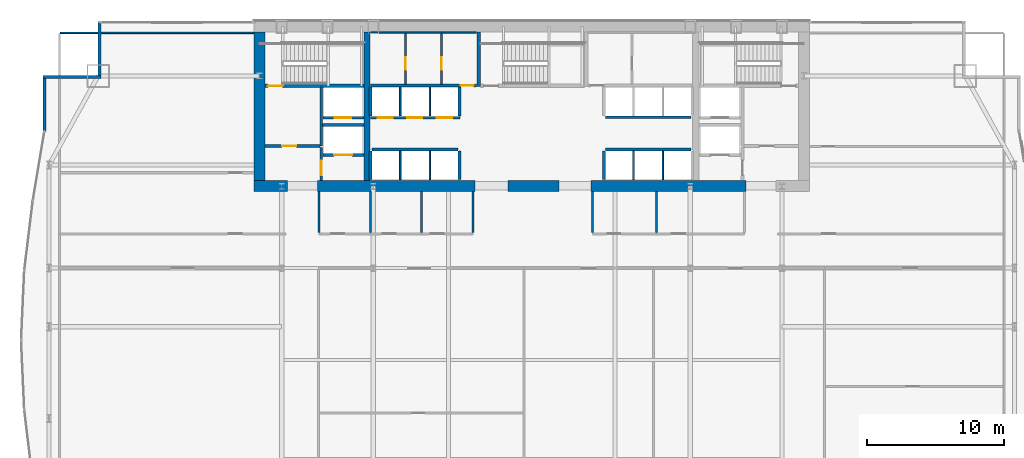
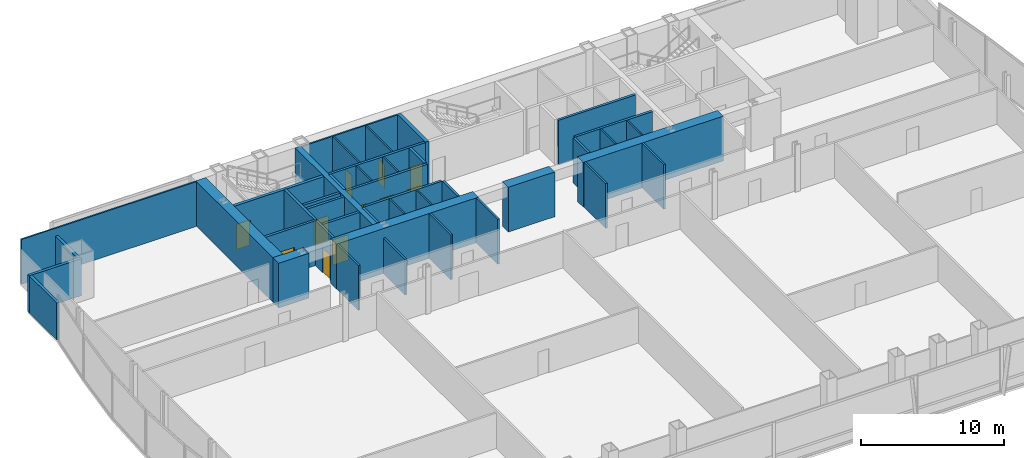
# One storey, part 28 of 32: 43 walls, 11 doors, 11 openings.
"""IFC4 building model written with IfcOpenShell, lengths in metres."""

from ifc_helpers import new_model, si_unit, direction, frame, frame_2d, origin, place, context, subcontext, project, spatial, rectangle, extrude, material, layer, layer_set, type_object, element, fill, save


model = new_model("IFC4")

# Units and contexts
model_context = context("Model", 3, precision=1e-05, world=origin(), true_north=direction((0.0, 1.0)))
body_context = subcontext(model_context, "Body", "Model", "MODEL_VIEW")
ifc_project = project(units=[si_unit("LENGTHUNIT", "METRE"), si_unit("AREAUNIT", "SQUARE_METRE"), si_unit("VOLUMEUNIT", "CUBIC_METRE"), si_unit("PLANEANGLEUNIT", "RADIAN"), si_unit("MASSUNIT", "GRAM", prefix="KILO")], contexts=[model_context])

# Site, building, storey
site_placement = place(None, origin())
site = spatial("IfcSite", under=ifc_project, at=site_placement, CompositionType="ELEMENT")
building_placement = place(site_placement, origin())
building = spatial("IfcBuilding", under=site, at=building_placement, Name="Khoronbel Lancet Exchange", CompositionType="ELEMENT")
storey_placement = place(building_placement, frame((0.0, 0.0, 41.800048828125)))
storey = spatial("IfcBuildingStorey", under=building, at=storey_placement, Name="L09", CompositionType="ELEMENT", Elevation=41.800048828125)

# Walls
ifc_material_1 = material(Name="Concrete C80/95", Category="concrete")
ifc_layer_1 = layer(ifc_material_1, 0.800048828125, Name="Concrete C80/95")
ifc_layer_set_1 = layer_set([ifc_layer_1], Name="Concrete C80/95")
wall_type_1 = type_object("IfcWallType", Name="WL-CW1", PredefinedType="SHEAR", material=ifc_layer_set_1)
wall_1_placement = place(storey_placement, frame((16.60009765625, 42.10009765625, 0.0), z_axis=(0.0, 0.0, 1.0), x_axis=(0.0, 1.0, 0.0)))
element("IfcWall", 1, at=wall_1_placement, inside=storey, type_object=wall_type_1, Name="Level L09 rear core west shear wall", PredefinedType="SHEAR", context=body_context, shape_type="SweptSolid", body=[
    extrude(rectangle(XDim=10.7998046875, YDim=0.800048828125, at=frame_2d((5.39990234375, 0.0))), origin(), (0.0, 0.0, 1.0), 3.820068359375),
])
wall_2_placement = place(storey_placement, frame((18.64990234375, 41.699951171875, 0.0), z_axis=(0.0, 0.0, 1.0), x_axis=(-1.0, 0.0, 0.0)))
element("IfcWall", 2, at=wall_2_placement, inside=storey, type_object=wall_type_1, Name="Level L09 rear core south shear wall pier P1", PredefinedType="SHEAR", context=body_context, shape_type="SweptSolid", body=[
    extrude(rectangle(XDim=2.449951171875, YDim=0.800048828125, at=frame_2d((1.22509765625, 0.0))), origin(), (0.0, 0.0, 1.0), 3.820068359375),
])
wall_3_placement = place(storey_placement, frame((32.300048828125, 41.699951171875, 0.0), z_axis=(0.0, 0.0, 1.0), x_axis=(-1.0, 0.0, 0.0)))
element("IfcWall", 3, at=wall_3_placement, inside=storey, type_object=wall_type_1, Name="Level L09 rear core south shear wall pier P2", PredefinedType="SHEAR", context=body_context, shape_type="SweptSolid", body=[
    extrude(rectangle(XDim=11.449951171875, YDim=0.800048828125, at=frame_2d((5.72509765625, 0.0))), origin(), (0.0, 0.0, 1.0), 3.820068359375),
])
wall_4_placement = place(storey_placement, frame((38.449951171875, 41.699951171875, 0.0), z_axis=(0.0, 0.0, 1.0), x_axis=(-1.0, 0.0, 0.0)))
element("IfcWall", 4, at=wall_4_placement, inside=storey, type_object=wall_type_1, Name="Level L09 rear core south shear wall pier P3", PredefinedType="SHEAR", context=body_context, shape_type="SweptSolid", body=[
    extrude(rectangle(XDim=3.75, YDim=0.800048828125, at=frame_2d((1.875, 0.0))), origin(), (0.0, 0.0, 1.0), 3.820068359375),
])
wall_5_placement = place(storey_placement, frame((52.050048828125, 41.699951171875, 0.0), z_axis=(0.0, 0.0, 1.0), x_axis=(-1.0, 0.0, 0.0)))
element("IfcWall", 5, at=wall_5_placement, inside=storey, type_object=wall_type_1, Name="Level L09 rear core south shear wall pier P4", PredefinedType="SHEAR", context=body_context, shape_type="SweptSolid", body=[
    extrude(rectangle(XDim=11.300048828125, YDim=0.800048828125, at=frame_2d((5.64990234375, 0.0))), origin(), (0.0, 0.0, 1.0), 3.820068359375),
])
ifc_material_2 = material(Name="Precast concrete C40/50", Category="concrete")
ifc_layer_2 = layer(ifc_material_2, 0.25, Name="Precast concrete C40/50")
ifc_layer_set_2 = layer_set([ifc_layer_2], Name="Precast concrete C40/50")
wall_type_2 = type_object("IfcWallType", Name="WL-EXT250", PredefinedType="SOLIDWALL", material=ifc_layer_set_2)
wall_6_placement = place(storey_placement, frame((0.93994140625, 45.672607421875, 0.0), z_axis=(0.0, 0.0, 1.0), x_axis=(0.0, 1.0, 0.0)))
element("IfcWall", 6, at=wall_6_placement, inside=storey, type_object=wall_type_2, Name="Level L09 notched-corner limestone pier 10", PredefinedType="SOLIDWALL", context=body_context, shape_type="SweptSolid", body=[
    extrude(rectangle(XDim=3.827392578125, YDim=0.219970703125, at=frame_2d((1.91357421875, 0.0))), origin(), (0.0, 0.0, 1.0), 3.159912109375),
])
wall_7_placement = place(storey_placement, frame((0.830078125, 49.610107421875, 0.0), z_axis=(0.0, 0.0, 1.0), x_axis=(1.0, 0.0, 0.0)))
element("IfcWall", 7, at=wall_7_placement, inside=storey, type_object=wall_type_2, Name="Level L09 notched-corner limestone pier 11", PredefinedType="SOLIDWALL", context=body_context, shape_type="SweptSolid", body=[
    extrude(rectangle(XDim=4.219970703125, YDim=0.219970703125, at=frame_2d((2.10986328125, 0.0))), origin(), (0.0, 0.0, 1.0), 3.159912109375),
])
wall_8_placement = place(storey_placement, frame((4.93994140625, 49.719970703125, 0.0), z_axis=(0.0, 0.0, 1.0), x_axis=(0.0, 1.0, 0.0)))
element("IfcWall", 8, at=wall_8_placement, inside=storey, type_object=wall_type_2, Name="Level L09 notched-corner limestone pier 12", PredefinedType="SOLIDWALL", context=body_context, shape_type="SweptSolid", body=[
    extrude(rectangle(XDim=3.909912109375, YDim=0.219970703125, at=frame_2d((1.955078125, 0.0))), origin(), (0.0, 0.0, 1.0), 3.159912109375),
])
ifc_material_3 = material(Name="Acoustic Metal-Stud & Mineral-Wool Gypsum Partition 120 mm", Category="gypsum")
ifc_layer_3 = layer(ifc_material_3, 0.1201171875, Name="Acoustic Metal-Stud & Mineral-Wool Gypsum Partition 120 mm")
ifc_layer_set_3 = layer_set([ifc_layer_3], Name="Acoustic Metal-Stud & Mineral-Wool Gypsum Partition 120 mm")
wall_type_3 = type_object("IfcWallType", Name="WL-PRT120", PredefinedType="PARTITIONING", material=ifc_layer_set_3)
wall_9_placement = place(storey_placement, frame((20.949951171875, 38.280029296875, 0.0), z_axis=(0.0, 0.0, 1.0), x_axis=(0.0, 1.0, 0.0)))
element("IfcWall", 9, at=wall_9_placement, inside=storey, type_object=wall_type_3, Name="Level L09 interior partition PW-WC-0", PredefinedType="PARTITIONING", context=body_context, shape_type="SweptSolid", body=[
    extrude(rectangle(XDim=3.02001953125, YDim=0.14990234375, at=frame_2d((1.510009765625, 0.0))), origin(), (0.0, 0.0, 1.0), 3.820068359375),
])
wall_10_placement = place(storey_placement, frame((24.699951171875, 38.280029296875, 0.0), z_axis=(0.0, 0.0, 1.0), x_axis=(0.0, 1.0, 0.0)))
element("IfcWall", 10, at=wall_10_placement, inside=storey, type_object=wall_type_3, Name="Level L09 interior partition PW-WC-1", PredefinedType="PARTITIONING", context=body_context, shape_type="SweptSolid", body=[
    extrude(rectangle(XDim=3.02001953125, YDim=0.14990234375, at=frame_2d((1.510009765625, 0.0))), origin(), (0.0, 0.0, 1.0), 3.010009765625),
])
for number, where, z_axis, x_axis, name in (
    (11, (28.39990234375, 38.280029296875, 0.0), (0.0, 0.0, 1.0), (0.0, 1.0, 0.0), "Level L09 interior partition PW-WC-2"),
    (12, (32.179931640625, 38.280029296875, 0.0), (0.0, 0.0, 1.0), (0.0, 1.0, 0.0), "Level L09 interior partition PW-WC-3"),
    (13, (40.8798828125, 38.280029296875, 0.0), (0.0, 0.0, 1.0), (0.0, 1.0, 0.0), "Level L09 interior partition PW-NP-0"),
    (14, (45.550048828125, 38.280029296875, 0.0), (0.0, 0.0, 1.0), (0.0, 1.0, 0.0), "Level L09 interior partition PW-NP-M"),
):
    element("IfcWall", number, at=place(storey_placement, frame(where, z_axis=z_axis, x_axis=x_axis)), inside=storey, type_object=wall_type_3, Name=name, PredefinedType="PARTITIONING", context=body_context, shape_type="SweptSolid", body=[
        extrude(rectangle(XDim=3.02001953125, YDim=0.14990234375, at=frame_2d((1.510009765625, 0.0))), origin(), (0.0, 0.0, 1.0), 3.820068359375),
    ])
wall_11_placement = place(storey_placement, frame((2.094970703125, 52.840087890625, 0.0), z_axis=(0.0, 0.0, 1.0), x_axis=(1.0, 0.0, 0.0)))
element("IfcWall", 15, at=wall_11_placement, inside=storey, type_object=wall_type_3, Name="Level L09 interior partition PW-LIN-NW", PredefinedType="PARTITIONING", context=body_context, shape_type="SweptSolid", body=[
    extrude(rectangle(XDim=14.10498046875, YDim=0.1201171875, at=frame_2d((7.052490234375, 0.0))), origin(), (0.0, 0.0, 1.0), 3.820068359375),
])
ifc_material_4 = material(Name="Fire-Rated Metal-Stud & Mineral-Wool Gypsum Partition 120 mm", Category="gypsum")
ifc_layer_4 = layer(ifc_material_4, 0.1201171875, Name="Fire-Rated Metal-Stud & Mineral-Wool Gypsum Partition 120 mm")
ifc_layer_set_4 = layer_set([ifc_layer_4], Name="Fire-Rated Metal-Stud & Mineral-Wool Gypsum Partition 120 mm")
wall_type_4 = type_object("IfcWallType", Name="WL-PRT120F", PredefinedType="PARTITIONING", material=ifc_layer_set_4)
for number, where, z_axis, x_axis, name in (
    (16, (26.860107421875, 46.800048828125, 0.0), (0.0, 0.0, 1.0), (0.0, 1.0, 0.0), "Level L09 interior partition CW-PL-D1"),
    (17, (29.02001953125, 46.800048828125, 0.0), (0.0, 0.0, 1.0), (0.0, 1.0, 0.0), "Level L09 interior partition CW-PL-D2"),
):
    element("IfcWall", number, at=place(storey_placement, frame(where, z_axis=z_axis, x_axis=x_axis)), inside=storey, type_object=wall_type_4, Name=name, PredefinedType="PARTITIONING", context=body_context, shape_type="SweptSolid", body=[
        extrude(rectangle(XDim=2.094970703125, YDim=0.1201171875, at=frame_2d((1.04736328125, 0.0))), origin(), (0.0, 0.0, 1.0), 3.820068359375),
    ])
for number, where, z_axis, x_axis, name in (
    (18, (26.860107421875, 42.14990234375, 0.0), (0.0, 0.0, 1.0), (0.0, 1.0, 0.0), "Level L09 interior partition CW-PM-D1"),
    (19, (29.02001953125, 42.14990234375, 0.0), (0.0, 0.0, 1.0), (0.0, 1.0, 0.0), "Level L09 interior partition CW-PM-D2"),
    (20, (43.860107421875, 42.14990234375, 0.0), (0.0, 0.0, 1.0), (0.0, 1.0, 0.0), "Level L09 interior partition CW-PX-D1"),
    (21, (46.0, 42.14990234375, 0.0), (0.0, 0.0, 1.0), (0.0, 1.0, 0.0), "Level L09 interior partition CW-PX-D2"),
):
    element("IfcWall", number, at=place(storey_placement, frame(where, z_axis=z_axis, x_axis=x_axis)), inside=storey, type_object=wall_type_4, Name=name, PredefinedType="PARTITIONING", context=body_context, shape_type="SweptSolid", body=[
        extrude(rectangle(XDim=2.09521484375, YDim=0.1201171875, at=frame_2d((1.047607421875, 0.0))), origin(), (0.0, 0.0, 1.0), 3.820068359375),
    ])
wall_12_placement = place(storey_placement, frame((24.699951171875, 52.860107421875, 0.0), z_axis=(0.0, 0.0, 1.0), x_axis=(1.0, 0.0, 0.0)))
element("IfcWall", 22, at=wall_12_placement, inside=storey, type_object=wall_type_4, Name="Level L09 interior partition CW-SUP-NW-N", PredefinedType="PARTITIONING", context=body_context, shape_type="SweptSolid", body=[
    extrude(rectangle(XDim=7.719970703125, YDim=0.1201171875, at=frame_2d((3.85986328125, 0.0))), origin(), (0.0, 0.0, 1.0), 3.820068359375),
])

# Wall, opening, door
wall_13_placement = place(storey_placement, frame((27.24755859375, 49.10498046875, 0.0), z_axis=(0.0, 0.0, 1.0), x_axis=(0.0, 1.0, 0.0)))
wall_13 = element("IfcWall", 23, at=wall_13_placement, inside=storey, type_object=wall_type_4, Name="Level L09 interior partition CW-SUP-NW-T1", PredefinedType="PARTITIONING", context=body_context, shape_type="SweptSolid", body=[
    extrude(rectangle(XDim=3.68994140625, YDim=0.1201171875, at=frame_2d((1.844970703125, 0.0))), origin(), (0.0, 0.0, 1.0), 3.820068359375),
])
opening_1_placement = place(wall_13_placement, frame((1.050048828125, 0.0, 0.0)))
opening_1 = element("IfcOpeningElement", 24, at=opening_1_placement, cuts=wall_13, Name="Opening FD4", PredefinedType="OPENING", context=body_context, shape_type="SweptSolid", body=[
    extrude(rectangle(XDim=0.89990234375, YDim=2.050048828125, at=frame_2d((0.449951171875, 1.02490234375))), frame((0.0, 0.070068359375, 0.0), z_axis=(0.0, -1.0, 0.0), x_axis=(1.0, 0.0, 0.0)), (0.0, 0.0, 1.0), 0.14013671875),
])
ifc_material_5 = material(Name="Fire-Rated Steel Core Support Door Assembly", Category="steel")
door_type_1 = type_object("IfcDoorType", Name="DR-FD4", OperationType="NOTDEFINED", PredefinedType="DOOR", material=ifc_material_5)
door_1_placement = place(opening_1_placement, origin())
door_1 = element("IfcDoor", 25, at=door_1_placement, inside=storey, type_object=door_type_1, Name="Core NW bay 1 door L09-1", OperationType="SINGLE_SWING_RIGHT", OverallHeight=2.050048828125, OverallWidth=0.89990234375, PredefinedType="DOOR", context=body_context, shape_type="SweptSolid", body=[
    extrude(rectangle(XDim=0.89990234375, YDim=2.050048828125, at=frame_2d((0.449951171875, 1.02490234375))), frame((0.0, 0.02490234375, 0.0), z_axis=(0.0, -1.0, 0.0), x_axis=(1.0, 0.0, 0.0)), (0.0, 0.0, 1.0), 0.050048828125),
])
fill(opening_1, door_1)

wall_14_placement = place(storey_placement, frame((29.872314453125, 49.10498046875, 0.0), z_axis=(0.0, 0.0, 1.0), x_axis=(0.0, 1.0, 0.0)))
wall_14 = element("IfcWall", 26, at=wall_14_placement, inside=storey, type_object=wall_type_4, Name="Level L09 interior partition CW-SUP-NW-T2", PredefinedType="PARTITIONING", context=body_context, shape_type="SweptSolid", body=[
    extrude(rectangle(XDim=3.68994140625, YDim=0.1201171875, at=frame_2d((1.844970703125, 0.0))), origin(), (0.0, 0.0, 1.0), 3.820068359375),
])
opening_2_placement = place(wall_14_placement, frame((1.050048828125, 0.0, 0.0)))
opening_2 = element("IfcOpeningElement", 27, at=opening_2_placement, cuts=wall_14, Name="Opening FD4", PredefinedType="OPENING", context=body_context, shape_type="SweptSolid", body=[
    extrude(rectangle(XDim=0.89990234375, YDim=2.050048828125, at=frame_2d((0.449951171875, 1.02490234375))), frame((0.0, 0.070068359375, 0.0), z_axis=(0.0, -1.0, 0.0), x_axis=(1.0, 0.0, 0.0)), (0.0, 0.0, 1.0), 0.14013671875),
])
door_2_placement = place(opening_2_placement, origin())
door_2 = element("IfcDoor", 28, at=door_2_placement, inside=storey, type_object=door_type_1, Name="Core NW bay 2 door L09-1", OperationType="SINGLE_SWING_LEFT", OverallHeight=2.050048828125, OverallWidth=0.89990234375, PredefinedType="DOOR", context=body_context, shape_type="SweptSolid", body=[
    extrude(rectangle(XDim=0.89990234375, YDim=2.050048828125, at=frame_2d((0.449951171875, 1.02490234375))), frame((0.0, 0.02490234375, 0.0), z_axis=(0.0, -1.0, 0.0), x_axis=(1.0, 0.0, 0.0)), (0.0, 0.0, 1.0), 0.050048828125),
])
fill(opening_2, door_2)

ifc_material_6 = material(Name="Autoclaved Aerated Concrete Blockwork 200 mm", Category="masonry")
ifc_layer_5 = layer(ifc_material_6, 0.199951171875, Name="Autoclaved Aerated Concrete Blockwork 200 mm")
ifc_layer_set_5 = layer_set([ifc_layer_5], Name="Autoclaved Aerated Concrete Blockwork 200 mm")
wall_type_5 = type_object("IfcWallType", Name="WL-PRT200", PredefinedType="PARTITIONING", material=ifc_layer_set_5)
wall_15_placement = place(storey_placement, frame((24.2099609375, 43.949951171875, 0.0), z_axis=(0.0, 0.0, 1.0), x_axis=(-1.0, 0.0, 0.0)))
wall_15 = element("IfcWall", 29, at=wall_15_placement, inside=storey, type_object=wall_type_5, Name="Level L09 elevator hoistway landing front wall SVLW", PredefinedType="PARTITIONING", context=body_context, shape_type="SweptSolid", body=[
    extrude(rectangle(XDim=2.969970703125, YDim=0.199951171875, at=frame_2d((1.48486328125, 0.0))), origin(), (0.0, 0.0, 1.0), 3.820068359375),
])
opening_3_placement = place(wall_15_placement, frame((0.860107421875, 0.0, 0.0)))
opening_3 = element("IfcOpeningElement", 30, at=opening_3_placement, cuts=wall_15, Name="Opening LD-SVL1", PredefinedType="OPENING", context=body_context, shape_type="SweptSolid", body=[
    extrude(rectangle(XDim=1.300048828125, YDim=2.179931640625, at=frame_2d((0.64990234375, 1.08984375))), frame((0.0, 0.10986328125, 0.0), z_axis=(0.0, -1.0, 0.0), x_axis=(1.0, 0.0, 0.0)), (0.0, 0.0, 1.0), 0.219970703125),
])
ifc_material_7 = material(Name="Heavy-Duty Bi-Parting Goods Lift Landing Door", Category="steel")
door_type_2 = type_object("IfcDoorType", Name="DR-LD-SVL", OperationType="NOTDEFINED", PredefinedType="DOOR", material=ifc_material_7)
door_3_placement = place(opening_3_placement, origin())
door_3 = element("IfcDoor", 31, at=door_3_placement, inside=storey, type_object=door_type_2, Name="Elevator landing sliding door LD-SVL1 L09", OperationType="SLIDING_TO_LEFT", OverallHeight=2.179931640625, OverallWidth=1.300048828125, PredefinedType="DOOR", context=body_context, shape_type="SweptSolid", body=[
    extrude(rectangle(XDim=1.300048828125, YDim=2.179931640625, at=frame_2d((0.64990234375, 1.08984375))), frame((0.0, 0.02490234375, 0.0), z_axis=(0.0, -1.0, 0.0), x_axis=(1.0, 0.0, 0.0)), (0.0, 0.0, 1.0), 0.050048828125),
])
fill(opening_3, door_3)

wall_16_placement = place(storey_placement, frame((24.2099609375, 46.64990234375, 0.0), z_axis=(0.0, 0.0, 1.0), x_axis=(-1.0, 0.0, 0.0)))
wall_16 = element("IfcWall", 32, at=wall_16_placement, inside=storey, type_object=wall_type_5, Name="Level L09 elevator hoistway landing front wall FFLW", PredefinedType="PARTITIONING", context=body_context, shape_type="SweptSolid", body=[
    extrude(rectangle(XDim=2.969970703125, YDim=0.199951171875, at=frame_2d((1.48486328125, 0.0))), origin(), (0.0, 0.0, 1.0), 3.820068359375),
])
opening_4_placement = place(wall_16_placement, frame((0.909912109375, 0.0, 0.0)))
opening_4 = element("IfcOpeningElement", 33, at=opening_4_placement, cuts=wall_16, Name="Opening LD-FFL1", PredefinedType="OPENING", context=body_context, shape_type="SweptSolid", body=[
    extrude(rectangle(XDim=1.199951171875, YDim=2.179931640625, at=frame_2d((0.60009765625, 1.08984375))), frame((0.0, 0.10986328125, 0.0), z_axis=(0.0, -1.0, 0.0), x_axis=(1.0, 0.0, 0.0)), (0.0, 0.0, 1.0), 0.219970703125),
])
ifc_material_8 = material(Name="Fire-Rated Stainless Bi-Parting Firefighting Lift Door", Category="steel")
door_type_3 = type_object("IfcDoorType", Name="DR-LD-FFL", OperationType="NOTDEFINED", PredefinedType="DOOR", material=ifc_material_8)
door_4_placement = place(opening_4_placement, origin())
door_4 = element("IfcDoor", 34, at=door_4_placement, inside=storey, type_object=door_type_3, Name="Elevator landing sliding door LD-FFL1 L09", OperationType="SLIDING_TO_LEFT", OverallHeight=2.179931640625, OverallWidth=1.199951171875, PredefinedType="DOOR", context=body_context, shape_type="SweptSolid", body=[
    extrude(rectangle(XDim=1.199951171875, YDim=2.179931640625, at=frame_2d((0.60009765625, 1.08984375))), frame((0.0, 0.02490234375, 0.0), z_axis=(0.0, -1.0, 0.0), x_axis=(1.0, 0.0, 0.0)), (0.0, 0.0, 1.0), 0.050048828125),
])
fill(opening_4, door_4)

# Wall, openings, doors
wall_17_placement = place(storey_placement, frame((31.219970703125, 46.64990234375, 0.0), z_axis=(0.0, 0.0, 1.0), x_axis=(-1.0, 0.0, 0.0)))
wall_17 = element("IfcWall", 35, at=wall_17_placement, inside=storey, type_object=wall_type_5, Name="Level L09 elevator hoistway landing front wall PLW", PredefinedType="PARTITIONING", context=body_context, shape_type="SweptSolid", body=[
    extrude(rectangle(XDim=6.530029296875, YDim=0.199951171875, at=frame_2d((3.26513671875, 0.0))), origin(), (0.0, 0.0, 1.0), 3.820068359375),
])
opening_5_placement = place(wall_17_placement, frame((4.89990234375, 0.0, 0.0)))
opening_5 = element("IfcOpeningElement", 36, at=opening_5_placement, cuts=wall_17, Name="Opening LD-PL1", PredefinedType="OPENING", context=body_context, shape_type="SweptSolid", body=[
    extrude(rectangle(XDim=1.10009765625, YDim=2.179931640625, at=frame_2d((0.550048828125, 1.08984375))), frame((0.0, 0.10986328125, 0.0), z_axis=(0.0, -1.0, 0.0), x_axis=(1.0, 0.0, 0.0)), (0.0, 0.0, 1.0), 0.219970703125),
])
opening_6_placement = place(wall_17_placement, frame((2.739990234375, 0.0, 0.0)))
opening_6 = element("IfcOpeningElement", 37, at=opening_6_placement, cuts=wall_17, Name="Opening LD-PL2", PredefinedType="OPENING", context=body_context, shape_type="SweptSolid", body=[
    extrude(rectangle(XDim=1.10009765625, YDim=2.179931640625, at=frame_2d((0.550048828125, 1.08984375))), frame((0.0, 0.10986328125, 0.0), z_axis=(0.0, -1.0, 0.0), x_axis=(1.0, 0.0, 0.0)), (0.0, 0.0, 1.0), 0.219970703125),
])
opening_7_placement = place(wall_17_placement, frame((0.580078125, 0.0, 0.0)))
opening_7 = element("IfcOpeningElement", 38, at=opening_7_placement, cuts=wall_17, Name="Opening LD-PL3", PredefinedType="OPENING", context=body_context, shape_type="SweptSolid", body=[
    extrude(rectangle(XDim=1.10009765625, YDim=2.179931640625, at=frame_2d((0.550048828125, 1.08984375))), frame((0.0, 0.10986328125, 0.0), z_axis=(0.0, -1.0, 0.0), x_axis=(1.0, 0.0, 0.0)), (0.0, 0.0, 1.0), 0.219970703125),
])
ifc_material_9 = material(Name="Brushed Bronze Bi-Parting Elevator Landing Door", Category="steel")
door_type_4 = type_object("IfcDoorType", Name="DR-LD-PAX", OperationType="NOTDEFINED", PredefinedType="DOOR", material=ifc_material_9)
door_5_placement = place(opening_5_placement, origin())
door_5 = element("IfcDoor", 39, at=door_5_placement, inside=storey, type_object=door_type_4, Name="Elevator landing sliding door LD-PL1 L09", OperationType="SLIDING_TO_LEFT", OverallHeight=2.179931640625, OverallWidth=1.10009765625, PredefinedType="DOOR", context=body_context, shape_type="SweptSolid", body=[
    extrude(rectangle(XDim=1.10009765625, YDim=2.179931640625, at=frame_2d((0.550048828125, 1.08984375))), frame((0.0, 0.02490234375, 0.0), z_axis=(0.0, -1.0, 0.0), x_axis=(1.0, 0.0, 0.0)), (0.0, 0.0, 1.0), 0.050048828125),
])
fill(opening_5, door_5)
door_6_placement = place(opening_6_placement, origin())
door_6 = element("IfcDoor", 40, at=door_6_placement, inside=storey, type_object=door_type_4, Name="Elevator landing sliding door LD-PL2 L09", OperationType="SLIDING_TO_LEFT", OverallHeight=2.179931640625, OverallWidth=1.10009765625, PredefinedType="DOOR", context=body_context, shape_type="SweptSolid", body=[
    extrude(rectangle(XDim=1.10009765625, YDim=2.179931640625, at=frame_2d((0.550048828125, 1.08984375))), frame((0.0, 0.02490234375, 0.0), z_axis=(0.0, -1.0, 0.0), x_axis=(1.0, 0.0, 0.0)), (0.0, 0.0, 1.0), 0.050048828125),
])
fill(opening_6, door_6)
door_7_placement = place(opening_7_placement, origin())
door_7 = element("IfcDoor", 41, at=door_7_placement, inside=storey, type_object=door_type_4, Name="Elevator landing sliding door LD-PL3 L09", OperationType="SLIDING_TO_LEFT", OverallHeight=2.179931640625, OverallWidth=1.10009765625, PredefinedType="DOOR", context=body_context, shape_type="SweptSolid", body=[
    extrude(rectangle(XDim=1.10009765625, YDim=2.179931640625, at=frame_2d((0.550048828125, 1.08984375))), frame((0.0, 0.02490234375, 0.0), z_axis=(0.0, -1.0, 0.0), x_axis=(1.0, 0.0, 0.0)), (0.0, 0.0, 1.0), 0.050048828125),
])
fill(opening_7, door_7)

# Wall
wall_18_placement = place(storey_placement, frame((21.10009765625, 44.60009765625, 0.0), z_axis=(0.0, 0.0, 1.0), x_axis=(0.0, 1.0, 0.0)))
element("IfcWall", 42, at=wall_18_placement, inside=storey, type_object=wall_type_5, Name="Level L09 interior partition CW-FFLW-E", PredefinedType="PARTITIONING", context=body_context, shape_type="SweptSolid", body=[
    extrude(rectangle(XDim=4.2998046875, YDim=0.199951171875, at=frame_2d((2.14990234375, 0.0))), origin(), (0.0, 0.0, 1.0), 3.820068359375),
])

# Wall, opening, door
wall_19_placement = place(storey_placement, frame((17.0, 44.60009765625, 0.0), z_axis=(0.0, 0.0, 1.0), x_axis=(1.0, 0.0, 0.0)))
wall_19 = element("IfcWall", 43, at=wall_19_placement, inside=storey, type_object=wall_type_5, Name="Level L09 interior partition CW-FFLW-S", PredefinedType="PARTITIONING", context=body_context, shape_type="SweptSolid", body=[
    extrude(rectangle(XDim=4.0, YDim=0.199951171875, at=frame_2d((2.0, 0.0))), origin(), (0.0, 0.0, 1.0), 3.820068359375),
])
opening_8_placement = place(wall_19_placement, frame((1.25, 0.0, 0.0)))
opening_8 = element("IfcOpeningElement", 44, at=opening_8_placement, cuts=wall_19, Name="Opening FD1", PredefinedType="OPENING", context=body_context, shape_type="SweptSolid", body=[
    extrude(rectangle(XDim=1.050048828125, YDim=2.14990234375, at=frame_2d((0.52490234375, 1.074951171875))), frame((0.0, 0.10986328125, 0.0), z_axis=(0.0, -1.0, 0.0), x_axis=(1.0, 0.0, 0.0)), (0.0, 0.0, 1.0), 0.219970703125),
])
ifc_material_10 = material(Name="Fire-Rated Painted Steel Door Assembly", Category="steel")
door_type_5 = type_object("IfcDoorType", Name="DR-FD1", OperationType="NOTDEFINED", PredefinedType="DOOR", material=ifc_material_10)
door_8_placement = place(opening_8_placement, origin())
door_8 = element("IfcDoor", 45, at=door_8_placement, inside=storey, type_object=door_type_5, Name="West firefighting lobby FD90S door L09-1", OperationType="SINGLE_SWING_LEFT", OverallHeight=2.14990234375, OverallWidth=1.050048828125, PredefinedType="DOOR", context=body_context, shape_type="SweptSolid", body=[
    extrude(rectangle(XDim=1.050048828125, YDim=2.14990234375, at=frame_2d((0.52490234375, 1.074951171875))), frame((0.0, 0.02490234375, 0.0), z_axis=(0.0, -1.0, 0.0), x_axis=(1.0, 0.0, 0.0)), (0.0, 0.0, 1.0), 0.050048828125),
])
fill(opening_8, door_8)

# Wall
wall_20_placement = place(storey_placement, frame((21.199951171875, 46.1201171875, 0.0), z_axis=(0.0, 0.0, 1.0), x_axis=(1.0, 0.0, 0.0)))
element("IfcWall", 46, at=wall_20_placement, inside=storey, type_object=wall_type_5, Name="Level L09 interior partition CW-FFL1-S", PredefinedType="PARTITIONING", context=body_context, shape_type="SweptSolid", body=[
    extrude(rectangle(XDim=3.02001953125, YDim=0.199951171875, at=frame_2d((1.510009765625, 0.0))), origin(), (0.0, 0.0, 1.0), 3.820068359375),
])

# Wall, opening, door
wall_21_placement = place(storey_placement, frame((21.10009765625, 42.10009765625, 0.0), z_axis=(0.0, 0.0, 1.0), x_axis=(0.0, 1.0, 0.0)))
wall_21 = element("IfcWall", 47, at=wall_21_placement, inside=storey, type_object=wall_type_5, Name="Level L09 interior partition CW-SVLW-W", PredefinedType="PARTITIONING", context=body_context, shape_type="SweptSolid", body=[
    extrude(rectangle(XDim=2.39501953125, YDim=0.199951171875, at=frame_2d((1.197509765625, 0.0))), origin(), (0.0, 0.0, 1.0), 3.820068359375),
])
opening_9_placement = place(wall_21_placement, frame((0.3798828125, 0.0, 0.0)))
opening_9 = element("IfcOpeningElement", 48, at=opening_9_placement, cuts=wall_21, Name="Opening FD1", PredefinedType="OPENING", context=body_context, shape_type="SweptSolid", body=[
    extrude(rectangle(XDim=1.050048828125, YDim=2.14990234375, at=frame_2d((0.52490234375, 1.074951171875))), frame((0.0, 0.10986328125, 0.0), z_axis=(0.0, -1.0, 0.0), x_axis=(1.0, 0.0, 0.0)), (0.0, 0.0, 1.0), 0.219970703125),
])
door_9_placement = place(opening_9_placement, origin())
door_9 = element("IfcDoor", 49, at=door_9_placement, inside=storey, type_object=door_type_5, Name="West service lift lobby door L09-1", OperationType="SINGLE_SWING_RIGHT", OverallHeight=2.14990234375, OverallWidth=1.050048828125, PredefinedType="DOOR", context=body_context, shape_type="SweptSolid", body=[
    extrude(rectangle(XDim=1.050048828125, YDim=2.14990234375, at=frame_2d((0.52490234375, 1.074951171875))), frame((0.0, 0.02490234375, 0.0), z_axis=(0.0, -1.0, 0.0), x_axis=(1.0, 0.0, 0.0)), (0.0, 0.0, 1.0), 0.050048828125),
])
fill(opening_9, door_9)

# Walls
for number, where, z_axis, x_axis, name in (
    (50, (24.699951171875, 46.800048828125, 0.0), (0.0, 0.0, 1.0), (0.0, 1.0, 0.0), "Level L09 interior partition CW-PL-W"),
    (51, (31.179931640625, 46.800048828125, 0.0), (0.0, 0.0, 1.0), (0.0, 1.0, 0.0), "Level L09 interior partition CW-PL-E"),
):
    element("IfcWall", number, at=place(storey_placement, frame(where, z_axis=z_axis, x_axis=x_axis)), inside=storey, type_object=wall_type_5, Name=name, PredefinedType="PARTITIONING", context=body_context, shape_type="SweptSolid", body=[
        extrude(rectangle(XDim=2.094970703125, YDim=0.199951171875, at=frame_2d((1.04736328125, 0.0))), origin(), (0.0, 0.0, 1.0), 3.820068359375),
    ])
wall_22_placement = place(storey_placement, frame((24.804931640625, 44.35009765625, 0.0), z_axis=(0.0, 0.0, 1.0), x_axis=(1.0, 0.0, 0.0)))
element("IfcWall", 52, at=wall_22_placement, inside=storey, type_object=wall_type_5, Name="Level L09 interior partition CW-PM-EXP", PredefinedType="PARTITIONING", context=body_context, shape_type="SweptSolid", body=[
    extrude(rectangle(XDim=6.27001953125, YDim=0.199951171875, at=frame_2d((3.135009765625, 0.0))), origin(), (0.0, 0.0, 1.0), 3.820068359375),
])
for number, where, z_axis, x_axis, name in (
    (53, (24.699951171875, 42.14990234375, 0.0), (0.0, 0.0, 1.0), (0.0, 1.0, 0.0), "Level L09 interior partition CW-PM-W"),
    (54, (31.179931640625, 42.14990234375, 0.0), (0.0, 0.0, 1.0), (0.0, 1.0, 0.0), "Level L09 interior partition CW-PM-E"),
):
    element("IfcWall", number, at=place(storey_placement, frame(where, z_axis=z_axis, x_axis=x_axis)), inside=storey, type_object=wall_type_5, Name=name, PredefinedType="PARTITIONING", context=body_context, shape_type="SweptSolid", body=[
        extrude(rectangle(XDim=2.09521484375, YDim=0.199951171875, at=frame_2d((1.047607421875, 0.0))), origin(), (0.0, 0.0, 1.0), 3.820068359375),
    ])
for number, where, z_axis, x_axis, name in (
    (55, (41.824951171875, 46.699951171875, 0.0), (0.0, 0.0, 1.0), (1.0, 0.0, 0.0), "Level L09 interior partition CW-PH-EXP"),
    (56, (41.824951171875, 44.35009765625, 0.0), (0.0, 0.0, 1.0), (1.0, 0.0, 0.0), "Level L09 interior partition CW-PX-EXP"),
):
    element("IfcWall", number, at=place(storey_placement, frame(where, z_axis=z_axis, x_axis=x_axis)), inside=storey, type_object=wall_type_5, Name=name, PredefinedType="PARTITIONING", context=body_context, shape_type="SweptSolid", body=[
        extrude(rectangle(XDim=6.2099609375, YDim=0.199951171875, at=frame_2d((3.10498046875, 0.0))), origin(), (0.0, 0.0, 1.0), 3.820068359375),
    ])
wall_23_placement = place(storey_placement, frame((41.719970703125, 42.14990234375, 0.0), z_axis=(0.0, 0.0, 1.0), x_axis=(0.0, 1.0, 0.0)))
element("IfcWall", 57, at=wall_23_placement, inside=storey, type_object=wall_type_5, Name="Level L09 interior partition CW-PX-W", PredefinedType="PARTITIONING", context=body_context, shape_type="SweptSolid", body=[
    extrude(rectangle(XDim=2.09521484375, YDim=0.199951171875, at=frame_2d((1.047607421875, 0.0))), origin(), (0.0, 0.0, 1.0), 3.820068359375),
])

# Wall, opening, door
wall_24_placement = place(storey_placement, frame((24.699951171875, 49.0, 0.0), z_axis=(0.0, 0.0, 1.0), x_axis=(1.0, 0.0, 0.0)))
wall_24 = element("IfcWall", 58, at=wall_24_placement, inside=storey, type_object=wall_type_5, Name="Level L09 interior partition CW-SUP-NW-S", PredefinedType="PARTITIONING", context=body_context, shape_type="SweptSolid", body=[
    extrude(rectangle(XDim=7.719970703125, YDim=0.199951171875, at=frame_2d((3.85986328125, 0.0))), origin(), (0.0, 0.0, 1.0), 3.820068359375),
])
opening_10_placement = place(wall_24_placement, frame((6.56005859375, 0.0, 0.0)))
opening_10 = element("IfcOpeningElement", 59, at=opening_10_placement, cuts=wall_24, Name="Opening FD3", PredefinedType="OPENING", context=body_context, shape_type="SweptSolid", body=[
    extrude(rectangle(XDim=0.949951171875, YDim=2.10009765625, at=frame_2d((0.47509765625, 1.050048828125))), frame((0.0, 0.10986328125, 0.0), z_axis=(0.0, -1.0, 0.0), x_axis=(1.0, 0.0, 0.0)), (0.0, 0.0, 1.0), 0.219970703125),
])
ifc_material_11 = material(Name="Fire-Rated Steel Plant & Riser Door Assembly", Category="steel")
door_type_6 = type_object("IfcDoorType", Name="DR-FD3", OperationType="NOTDEFINED", PredefinedType="DOOR", material=ifc_material_11)
door_10_placement = place(opening_10_placement, origin())
door_10 = element("IfcDoor", 60, at=door_10_placement, inside=storey, type_object=door_type_6, Name="Core NW support room door L09-1", OperationType="SINGLE_SWING_LEFT", OverallHeight=2.10009765625, OverallWidth=0.949951171875, PredefinedType="DOOR", context=body_context, shape_type="SweptSolid", body=[
    extrude(rectangle(XDim=0.949951171875, YDim=2.10009765625, at=frame_2d((0.47509765625, 1.050048828125))), frame((0.0, 0.02490234375, 0.0), z_axis=(0.0, -1.0, 0.0), x_axis=(1.0, 0.0, 0.0)), (0.0, 0.0, 1.0), 0.050048828125),
])
fill(opening_10, door_10)

# Walls
ifc_layer_6 = layer(ifc_material_1, 0.449951171875, Name="Concrete C80/95")
ifc_layer_set_6 = layer_set([ifc_layer_6], Name="Concrete C80/95")
wall_type_6 = type_object("IfcWallType", Name="WL-SW1", PredefinedType="SHEAR", material=ifc_layer_set_6)
wall_25_placement = place(storey_placement, frame((24.449951171875, 42.10009765625, 0.0), z_axis=(0.0, 0.0, 1.0), x_axis=(0.0, 1.0, 0.0)))
element("IfcWall", 61, at=wall_25_placement, inside=storey, type_object=wall_type_6, Name="Level L09 rear core internal spine shear wall IW", PredefinedType="SHEAR", context=body_context, shape_type="SweptSolid", body=[
    extrude(rectangle(XDim=10.7998046875, YDim=0.449951171875, at=frame_2d((5.39990234375, 0.0))), origin(), (0.0, 0.0, 1.0), 3.820068359375),
])
ifc_material_12 = material(Name="Concrete C60/75", Category="concrete")
ifc_layer_7 = layer(ifc_material_12, 0.260009765625, Name="Concrete C60/75")
ifc_layer_set_7 = layer_set([ifc_layer_7], Name="Concrete C60/75")
wall_type_7 = type_object("IfcWallType", Name="WL-SW3", PredefinedType="SHEAR", material=ifc_layer_set_7)
wall_26_placement = place(storey_placement, frame((32.580078125, 48.949951171875, 0.0), z_axis=(0.0, 0.0, 1.0), x_axis=(0.0, 1.0, 0.0)))
element("IfcWall", 62, at=wall_26_placement, inside=storey, type_object=wall_type_7, Name="Level L09 central stairwell structural shear wall ST3W", PredefinedType="SHEAR", context=body_context, shape_type="SweptSolid", body=[
    extrude(rectangle(XDim=3.949951171875, YDim=0.260009765625, at=frame_2d((1.97509765625, 0.0))), origin(), (0.0, 0.0, 1.0), 3.820068359375),
])

# Wall, opening, door
wall_27_placement = place(storey_placement, frame((17.0, 48.97998046875, 0.0), z_axis=(0.0, 0.0, 1.0), x_axis=(1.0, 0.0, 0.0)))
wall_27 = element("IfcWall", 63, at=wall_27_placement, inside=storey, type_object=wall_type_7, Name="Level L09 west stairwell structural south wall", PredefinedType="SHEAR", context=body_context, shape_type="SweptSolid", body=[
    extrude(rectangle(XDim=7.219970703125, YDim=0.239990234375, at=frame_2d((3.60986328125, 0.0))), origin(), (0.0, 0.0, 1.0), 3.820068359375),
])
opening_11_placement = place(wall_27_placement, frame((0.219970703125, 0.0, 0.0)))
opening_11 = element("IfcOpeningElement", 64, at=opening_11_placement, cuts=wall_27, Name="Opening SD1", PredefinedType="OPENING", context=body_context, shape_type="SweptSolid", body=[
    extrude(rectangle(XDim=1.050048828125, YDim=2.14990234375, at=frame_2d((0.52490234375, 1.074951171875))), frame((0.0, 0.1298828125, 0.0), z_axis=(0.0, -1.0, 0.0), x_axis=(1.0, 0.0, 0.0)), (0.0, 0.0, 1.0), 0.260009765625),
])
ifc_material_13 = material(Name="Fire-Rated Steel Stairwell Door Assembly", Category="steel")
door_type_7 = type_object("IfcDoorType", Name="DR-SD1", OperationType="NOTDEFINED", PredefinedType="DOOR", material=ifc_material_13)
door_11_placement = place(opening_11_placement, origin())
door_11 = element("IfcDoor", 65, at=door_11_placement, inside=storey, type_object=door_type_7, Name="Protected exit stair ST1 door L09", OperationType="SINGLE_SWING_LEFT", OverallHeight=2.14990234375, OverallWidth=1.050048828125, PredefinedType="DOOR", context=body_context, shape_type="SweptSolid", body=[
    extrude(rectangle(XDim=1.050048828125, YDim=2.14990234375, at=frame_2d((0.52490234375, 1.074951171875))), frame((0.0, 0.02490234375, 0.0), z_axis=(0.0, -1.0, 0.0), x_axis=(1.0, 0.0, 0.0)), (0.0, 0.0, 1.0), 0.050048828125),
])
fill(opening_11, door_11)

save(model, "model.ifc")
